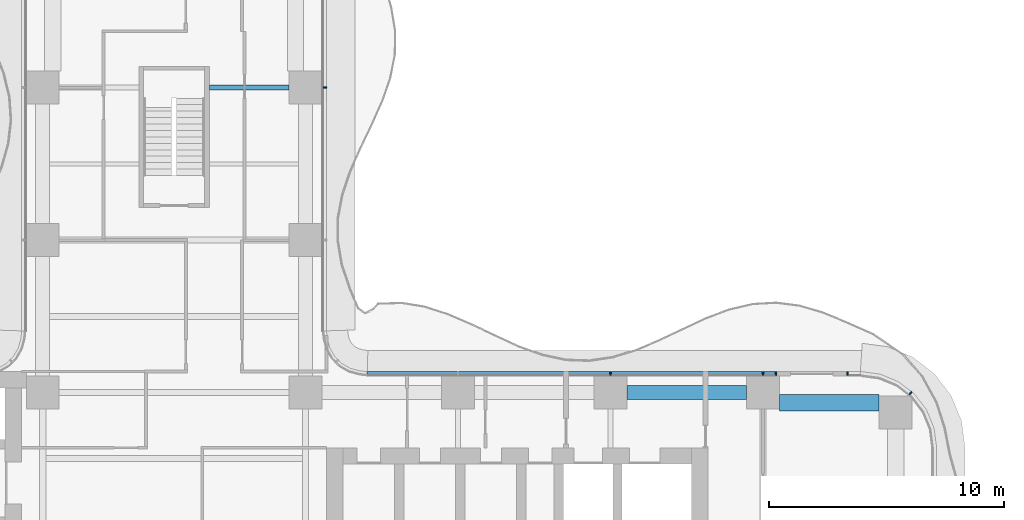
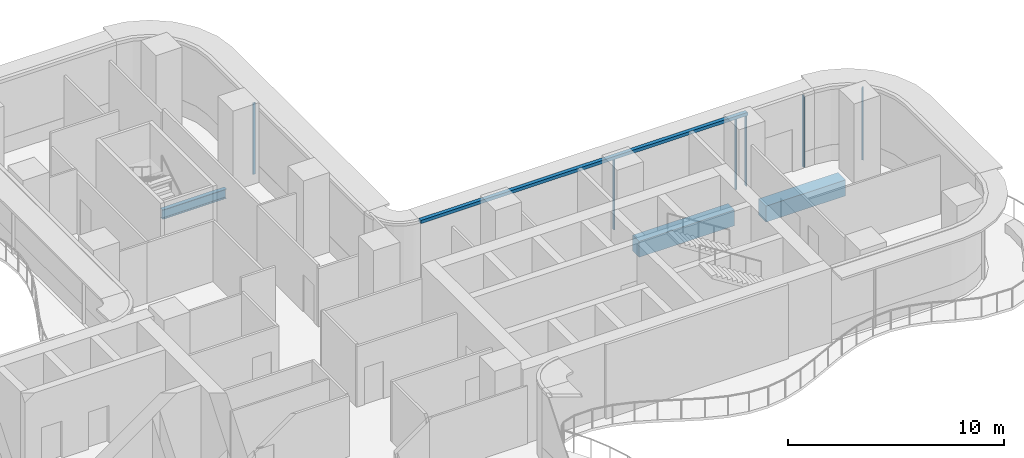
# One storey, part 11 of 22: 7 members, 3 beams, 4 elements without a shape of their own.
"""IFC4 building model written with IfcOpenShell, lengths in metres."""

from ifc_helpers import new_model, si_unit, direction, frame, origin, origin_2d, place, context, subcontext, project, spatial, polyline, rectangle, i_section, outline, extrude, source, transform, mapped, material, layer, layer_set, material_profile, profile_set, type_object, element, aggregate, save


model = new_model("IFC4")

# Units and contexts
model_context = context("Model", 3, precision=1e-05, world=origin(), true_north=direction((0.0, 1.0)))
body_context = subcontext(model_context, "Body", "Model", "MODEL_VIEW")
ifc_project = project(units=[si_unit("LENGTHUNIT", "METRE"), si_unit("AREAUNIT", "SQUARE_METRE"), si_unit("VOLUMEUNIT", "CUBIC_METRE"), si_unit("PLANEANGLEUNIT", "RADIAN"), si_unit("MASSUNIT", "GRAM", prefix="KILO")], contexts=[model_context])

# Site, building, storey
site_placement = place(None, origin())
site = spatial("IfcSite", under=ifc_project, at=site_placement, CompositionType="ELEMENT")
building_placement = place(site_placement, origin())
building = spatial("IfcBuilding", under=site, at=building_placement, Name="Trellis Farm Tower", CompositionType="ELEMENT")
storey_placement = place(building_placement, frame((0.0, 0.0, 88.0)))
storey = spatial("IfcBuildingStorey", under=building, at=storey_placement, Name="L18", CompositionType="ELEMENT", Elevation=88.0)

# Curtain wall, member
ifc_material_1 = material(Name="Aluminium and glass curtain wall", Category="aluminium")
ifc_layer_1 = layer(ifc_material_1, 0.18994140625)
ifc_layer_set_1 = layer_set([ifc_layer_1], Name="RIBBON CURTAIN WALL CW1")
curtain_wall_type = type_object("IfcCurtainWallType", Name="RIBBON CURTAIN WALL CW1", PredefinedType="NOTDEFINED", material=ifc_layer_set_1)
placement = place(storey_placement, origin())
curtain_wall_1 = element("IfcCurtainWall", 1, at=placement, inside=storey, type_object=curtain_wall_type, Name="CW1 008", PredefinedType="NOTDEFINED")
ifc_material_2 = material(Name="Aluminium extrusion 6063-T6", Category="aluminium")
ifc_layer_2 = layer(ifc_material_2, 0.199951171875)
ifc_layer_set_2 = layer_set([ifc_layer_2], Name="Aluminium extrusion 6063-T6")
member_type_1 = type_object("IfcMemberType", Name="CW1 TRANSOM 200x180", PredefinedType="USERDEFINED", material=ifc_layer_set_2)
member_1_placement = place(storey_placement, frame((0.0, 0.0, 4.02001953125)))
member_1 = element("IfcMember", 2, at=member_1_placement, type_object=member_type_1, Name="TR1 008", ObjectType="TRANSOM", PredefinedType="USERDEFINED", context=body_context, shape_type="SweptSolid", body=[
    extrude(outline(polyline([(25.675048828125, 6.5), (8.2314453125, 6.5), (8.224853515625, 6.300048828125), (25.675048828125, 6.300048828125), (25.675048828125, 6.5)])), origin(), (0.0, 0.0, 1.0), 0.179931640625),
])

# Beams
ifc_material_3 = material(Name="Steel S355", Category="steel")
ifc_material_profile_1 = material_profile(ifc_material_3, i_section(OverallWidth=0.209228515625, OverallDepth=0.533203125, WebThickness=0.010009765625, FlangeThickness=0.015625, FilletRadius=0.0126953125, at=origin_2d()), Name="UB 533x210x92")
ifc_profile_set_1 = profile_set([ifc_material_profile_1], Name="Steel S355")
beam_type_1 = type_object("IfcBeamType", Name="UB 533x210x92", PredefinedType="BEAM", material=ifc_profile_set_1)
shared_shape_1 = source(origin(), body_context, "Body", "SweptSolid", [
    extrude(i_section(OverallWidth=0.209228515625, OverallDepth=0.533203125, WebThickness=0.010009765625, FlangeThickness=0.015625, FilletRadius=0.0126953125, at=origin_2d()), origin(), (0.0, 0.0, 1.0), 3.39990234375),
])
beam_1_placement = place(storey_placement, frame((1.5, 18.60009765625, -0.5166015625), z_axis=(1.0, 0.0, 0.0), x_axis=(0.0, 1.0, 0.0)))
element("IfcBeam", 3, at=beam_1_placement, inside=storey, type_object=beam_type_1, Name="Girder", PredefinedType="BEAM", context=body_context, shape_type="MappedRepresentation", body=[
    mapped(shared_shape_1, transform((0.0, 0.0, 0.0))),
])
ifc_material_4 = material(Name="Concrete C60/75", Category="concrete")
ifc_material_profile_2 = material_profile(ifc_material_4, rectangle(XDim=0.60009765625, YDim=0.89990234375, at=origin_2d()), Name="RC spandrel beam 600x900 C60/75")
ifc_profile_set_2 = profile_set([ifc_material_profile_2], Name="Concrete C60/75")
beam_type_2 = type_object("IfcBeamType", Name="RC spandrel beam 600x900 C60/75", PredefinedType="SPANDREL", material=ifc_profile_set_2)
shared_shape_2 = source(origin(), body_context, "Body", "SweptSolid", [
    extrude(rectangle(XDim=0.60009765625, YDim=0.89990234375, at=origin_2d()), origin(), (0.0, 0.0, 1.0), 5.099853515625),
])
beam_2_placement = place(storey_placement, frame((19.300048828125, 5.60009765625, -0.699951171875), z_axis=(1.0, 0.0, 0.0), x_axis=(0.0, 1.0, 0.0)))
element("IfcBeam", 4, at=beam_2_placement, inside=storey, type_object=beam_type_2, Name="Girder", PredefinedType="SPANDREL", context=body_context, shape_type="MappedRepresentation", body=[
    mapped(shared_shape_2, transform((0.0, 0.0, 0.0))),
])
ifc_material_profile_3 = material_profile(ifc_material_4, rectangle(XDim=0.699951171875, YDim=0.89990234375, at=origin_2d()), Name="RC spandrel beam 700x900 C60/75")
ifc_profile_set_3 = profile_set([ifc_material_profile_3], Name="Concrete C60/75")
beam_type_3 = type_object("IfcBeamType", Name="RC spandrel beam 700x900 C60/75", PredefinedType="SPANDREL", material=ifc_profile_set_3)
shared_shape_3 = source(origin(), body_context, "Body", "SweptSolid", [
    extrude(rectangle(XDim=0.699951171875, YDim=0.89990234375, at=origin_2d()), origin(), (0.0, 0.0, 1.0), 4.25),
])
beam_3_placement = place(storey_placement, frame((25.800048828125, 5.175048828125, -0.699951171875), z_axis=(1.0, 0.0, 0.0), x_axis=(0.0, 1.0, 0.0)))
element("IfcBeam", 5, at=beam_3_placement, inside=storey, type_object=beam_type_3, Name="Girder", PredefinedType="SPANDREL", context=body_context, shape_type="MappedRepresentation", body=[
    mapped(shared_shape_3, transform((0.0, 0.0, 0.0))),
])

# Curtain wall, member
curtain_wall_2 = element("IfcCurtainWall", 6, at=placement, inside=storey, type_object=curtain_wall_type, Name="CW1 006", PredefinedType="NOTDEFINED")
ifc_material_profile_4 = material_profile(ifc_material_2, rectangle(XDim=0.06005859375, YDim=0.14990234375, at=origin_2d()), Name="MULLION 60x150")
ifc_profile_set_4 = profile_set([ifc_material_profile_4], Name="Aluminium extrusion 6063-T6")
member_type_2 = type_object("IfcMemberType", Name="CW1 MULLION 60x150", PredefinedType="MULLION", material=ifc_profile_set_4)
shared_shape_4 = source(origin(), body_context, "Body", "SweptSolid", [
    extrude(rectangle(XDim=0.06005859375, YDim=0.14990234375, at=origin_2d()), origin(), (0.0, 0.0, 1.0), 4.02001953125),
])
member_2_placement = place(storey_placement, frame((31.385498046875, 5.578369140625, 0.0), z_axis=(0.0, 0.0, 1.0), x_axis=(-0.793353340291, 0.608761429009, 0.0)))
member_2 = element("IfcMember", 7, at=member_2_placement, type_object=member_type_2, Name="MU1 006-02", PredefinedType="MULLION", context=body_context, shape_type="MappedRepresentation", body=[
    mapped(shared_shape_4, transform((0.0, 0.0, 0.0))),
])
aggregate(curtain_wall_2, [member_2])

curtain_wall_3 = element("IfcCurtainWall", 8, at=placement, inside=storey, type_object=curtain_wall_type, Name="CW1 007", PredefinedType="NOTDEFINED")
member_3_placement = place(storey_placement, frame((28.705078125, 6.425048828125, 0.0), z_axis=(0.0, 0.0, 1.0), x_axis=(-1.0, 0.0, 0.0)))
member_3 = element("IfcMember", 9, at=member_3_placement, type_object=member_type_2, Name="MU1 007-01", PredefinedType="MULLION", context=body_context, shape_type="MappedRepresentation", body=[
    mapped(shared_shape_4, transform((0.0, 0.0, 0.0))),
])
aggregate(curtain_wall_3, [member_3])

# Member
member_4_placement = place(storey_placement, frame((25.64501953125, 6.425048828125, 0.0), z_axis=(0.0, 0.0, 1.0), x_axis=(-1.0, 0.0, 0.0)))
member_4 = element("IfcMember", 10, at=member_4_placement, type_object=member_type_2, Name="MU1 008-01", PredefinedType="MULLION", context=body_context, shape_type="MappedRepresentation", body=[
    mapped(shared_shape_4, transform((0.0, 0.0, 0.0))),
])

member_5_placement = place(storey_placement, frame((25.10009765625, 6.425048828125, 0.0), z_axis=(0.0, 0.0, 1.0), x_axis=(-1.0, 0.0, 0.0)))
member_5 = element("IfcMember", 11, at=member_5_placement, type_object=member_type_2, Name="MU1 008-02", PredefinedType="MULLION", context=body_context, shape_type="MappedRepresentation", body=[
    mapped(shared_shape_4, transform((0.0, 0.0, 0.0))),
])

member_6_placement = place(storey_placement, frame((18.60009765625, 6.425048828125, 0.0), z_axis=(0.0, 0.0, 1.0), x_axis=(-1.0, 0.0, 0.0)))
member_6 = element("IfcMember", 12, at=member_6_placement, type_object=member_type_2, Name="MU1 008-03", PredefinedType="MULLION", context=body_context, shape_type="MappedRepresentation", body=[
    mapped(shared_shape_4, transform((0.0, 0.0, 0.0))),
])

aggregate(curtain_wall_1, [member_4, member_5, member_6, member_1])

# Curtain wall, member
curtain_wall_4 = element("IfcCurtainWall", 13, at=placement, inside=storey, type_object=curtain_wall_type, Name="CW1 009", PredefinedType="NOTDEFINED")
member_7_placement = place(storey_placement, frame((6.425048828125, 18.60009765625, 0.0), z_axis=(0.0, 0.0, 1.0), x_axis=(0.0, 1.0, 0.0)))
member_7 = element("IfcMember", 14, at=member_7_placement, type_object=member_type_2, Name="MU1 009-02", PredefinedType="MULLION", context=body_context, shape_type="MappedRepresentation", body=[
    mapped(shared_shape_4, transform((0.0, 0.0, 0.0))),
])
aggregate(curtain_wall_4, [member_7])

save(model, "model.ifc")
